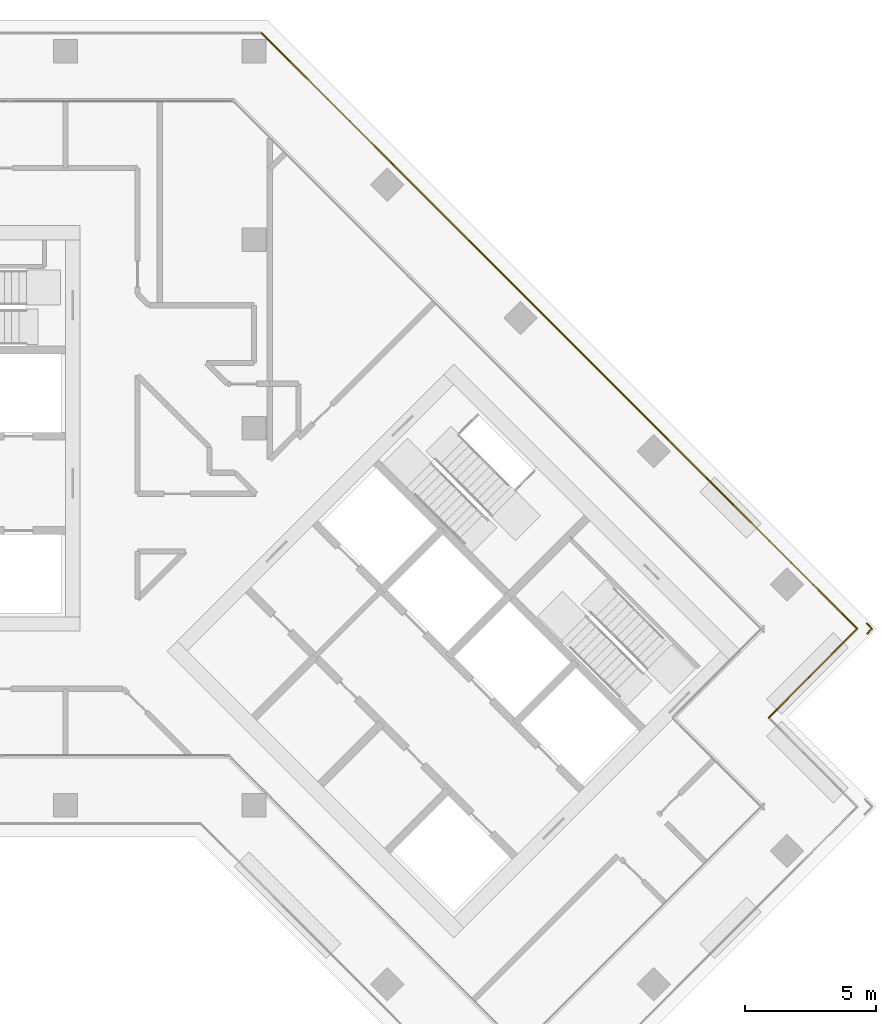
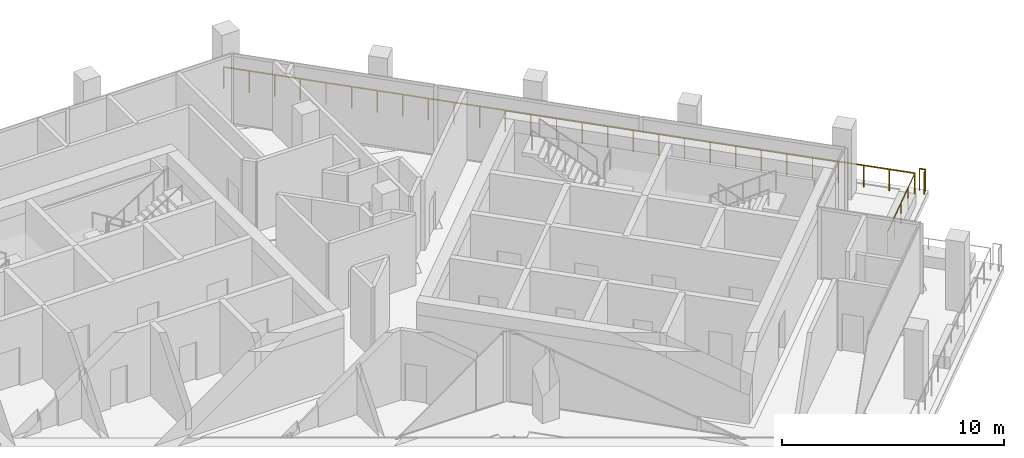
# One storey, part 19 of 19: 4 railings.
"""IFC4 building model written with IfcOpenShell, lengths in metres."""

import ifcopenshell
import ifcopenshell.guid

model = None  # the IFC model being written
_history = None  # IfcOwnerHistory: only IFC2X3 demands one
_inside = {}  # id of a spatial element -> (the spatial element, [elements in it])
_under = {}  # id of a project, library or spatial element -> (it, [spatial elements below it])
_declared = {}  # id of a project -> (the project, [libraries it declares])
_typed = {}  # id of a type object -> (the type object, [elements of that type])
_made_of = {}  # id of a material, layer set ... -> (it, [elements and type objects made of it])


def new_model(schema):
    """Start an empty IFC model of exactly this schema.

    Asked for "IFC4X3", IfcOpenShell would pick the latest addendum, in which some entities
    have other attributes; the version numbers below select the first issue.
    IFC2X3 requires an IfcOwnerHistory on every rooted entity: one is made here for all.
    """
    global model, _history
    if schema == "IFC4X3":
        model = ifcopenshell.file(schema_version=(4, 3, 0, 0))
    else:
        model = ifcopenshell.file(schema=schema)
    _inside.clear()
    _under.clear()
    _declared.clear()
    _typed.clear()
    _made_of.clear()
    _history = None
    if model.schema == "IFC2X3":
        org = make("IfcOrganization", Name="unknown")
        user = make(
            "IfcPersonAndOrganization",
            ThePerson=make("IfcPerson", FamilyName="unknown"),
            TheOrganization=org,
        )
        app = make(
            "IfcApplication",
            ApplicationDeveloper=org,
            Version="unknown",
            ApplicationFullName="unknown",
            ApplicationIdentifier="unknown",
        )
        _history = make(
            "IfcOwnerHistory",
            OwningUser=user,
            OwningApplication=app,
            ChangeAction="ADDED",
            CreationDate=0,
        )
    return model


def make(cls, **values):
    """One entity of the class cls with the attributes given. An attribute that is None is left unset."""
    return model.create_entity(
        cls, **{name: value for name, value in values.items() if value is not None}
    )


def rooted(cls, **values):
    """An entity with a GlobalId (a new one), such as an element, a storey or a relation."""
    return make(cls, GlobalId=ifcopenshell.guid.new(), OwnerHistory=_history, **values)


def si_unit(unit_type, name, prefix=None):
    """IfcSIUnit, for example si_unit("LENGTHUNIT", "METRE", prefix="MILLI")."""
    return make("IfcSIUnit", UnitType=unit_type, Prefix=prefix, Name=name)


def assignment(units):
    """IfcUnitAssignment: the units of a project."""
    return None if units is None else make("IfcUnitAssignment", Units=units)


def point(xyz):
    """IfcCartesianPoint."""
    return None if xyz is None else make("IfcCartesianPoint", Coordinates=xyz)


def direction(xyz):
    """IfcDirection."""
    return None if xyz is None else make("IfcDirection", DirectionRatios=xyz)


def frame(location, z_axis=None, x_axis=None):
    """IfcAxis2Placement3D, a coordinate frame: its origin and axes. An axis left out is left unset."""
    return make(
        "IfcAxis2Placement3D",
        Location=point(location),
        Axis=direction(z_axis),
        RefDirection=direction(x_axis),
    )


def frame_2d(location, x_axis=None):
    """IfcAxis2Placement2D, a coordinate frame in the plane: its origin and x axis."""
    return make(
        "IfcAxis2Placement2D", Location=point(location), RefDirection=direction(x_axis)
    )


def origin():
    """The frame at (0, 0, 0) with its axes left unset."""
    return frame((0.0, 0.0, 0.0))


def origin_2d():
    """The frame at (0, 0) in the plane with its x axis left unset."""
    return frame_2d((0.0, 0.0))


def place(relative_to, where):
    """IfcLocalPlacement: puts the frame where relative to a parent placement (None: the world)."""
    return make(
        "IfcLocalPlacement", PlacementRelTo=relative_to, RelativePlacement=where
    )


def context(
    kind, dimensions, precision=None, world=None, true_north=None, identifier=None
):
    """IfcGeometricRepresentationContext, for example the 3D "Model" context."""
    return make(
        "IfcGeometricRepresentationContext",
        ContextIdentifier=identifier,
        ContextType=kind,
        CoordinateSpaceDimension=dimensions,
        Precision=precision,
        WorldCoordinateSystem=world,
        TrueNorth=true_north,
    )


def subcontext(parent, identifier, kind, view, scale=None):
    """IfcGeometricRepresentationSubContext, for example "Body" below "Model"."""
    return make(
        "IfcGeometricRepresentationSubContext",
        ContextIdentifier=identifier,
        ContextType=kind,
        ParentContext=parent,
        TargetScale=scale,
        TargetView=view,
    )


def project(units=None, contexts=None):
    """IfcProject with its units and contexts."""
    return rooted(
        "IfcProject",
        Name="project",
        RepresentationContexts=contexts,
        UnitsInContext=assignment(units),
    )


def spatial(cls, under=None, at=None, **own):
    """A site, building, storey or space (cls), placed at a placement, below another one or the project."""
    s = rooted(cls, ObjectPlacement=at, **own)
    if under is not None:
        _under.setdefault(under.id(), (under, []))[1].append(s)
    return s


def profile(cls, at=None, kind="AREA", **sizes):
    """A parametric profile (cls). Its sizes go by their IFC names, for example OverallWidth=200.0."""
    return make(cls, ProfileType=kind, Position=at, **sizes)


def circle(**sizes):
    """IfcCircleProfileDef."""
    return profile("IfcCircleProfileDef", **sizes)


def extrude(swept, where, along, depth):
    """IfcExtrudedAreaSolid: the profile swept, set in the frame where, extruded along a direction by depth."""
    return make(
        "IfcExtrudedAreaSolid",
        SweptArea=swept,
        Position=where,
        ExtrudedDirection=direction(along),
        Depth=depth,
    )


def shape(context_of_items, identifier, shape_type, items):
    """IfcShapeRepresentation: the items that make up one representation, for example the "Body"."""
    return make(
        "IfcShapeRepresentation",
        ContextOfItems=context_of_items,
        RepresentationIdentifier=identifier,
        RepresentationType=shape_type,
        Items=items,
    )


def material(Name=None, Category=None):
    """IfcMaterial."""
    return make("IfcMaterial", Name=Name, Category=Category)


def made_of(thing, what):
    """Note that an element or type object is made of a material, layer set ...; save() writes the relation."""
    if what is not None:
        _made_of.setdefault(what.id(), (what, []))[1].append(thing)
    return thing


def type_object(cls, material=None, **own):
    """A type object (cls), such as IfcWallType, which elements share."""
    return made_of(rooted(cls, **own), material)


def element(
    cls,
    number,
    at=None,
    inside=None,
    cuts=None,
    type_object=None,
    material=None,
    context=None,
    identifier="Body",
    shape_type=None,
    held_by="IfcProductDefinitionShape",
    body=None,
    shapes=None,
    **own,
):
    """One element of the class cls, such as IfcWall. Its Tag is "e" and its number.

    at: its placement. inside: the storey or other place that contains it. cuts: it is an
    opening in that element (IfcRelVoidsElement). A single representation is given by context,
    identifier, shape_type and body (its items); several are given by shapes. held_by: the class
    of the entity that holds the representations. save() writes the other relations.
    """
    e = rooted(cls, Tag="e%d" % number, ObjectPlacement=at, **own)
    if body is not None:
        shapes = [shape(context, identifier, shape_type, body)]
    if shapes is not None:
        e.Representation = make(held_by, Representations=shapes)
    if inside is not None:
        _inside.setdefault(inside.id(), (inside, []))[1].append(e)
    if cuts is not None:
        rooted(
            "IfcRelVoidsElement", RelatingBuildingElement=cuts, RelatedOpeningElement=e
        )
    if type_object is not None:
        _typed.setdefault(type_object.id(), (type_object, []))[1].append(e)
    return made_of(e, material)


def aggregate(whole, parts):
    """IfcRelAggregates: a whole, such as a stair, and the parts it consists of."""
    return rooted("IfcRelAggregates", RelatingObject=whole, RelatedObjects=parts)


def save(model, path):
    """Write the relations noted so far, then the file.

    IfcRelAggregates (storeys below a building ...), IfcRelContainedInSpatialStructure (elements
    in a storey), IfcRelDefinesByType, IfcRelAssociatesMaterial and IfcRelDeclares: one each for
    every whole, place, type object, material and project.
    """
    for whole, parts in _under.values():
        aggregate(whole, parts)
    for where, things in _inside.values():
        rooted(
            "IfcRelContainedInSpatialStructure",
            RelatedElements=things,
            RelatingStructure=where,
        )
    for kind, things in _typed.values():
        rooted("IfcRelDefinesByType", RelatedObjects=things, RelatingType=kind)
    for what, things in _made_of.values():
        rooted("IfcRelAssociatesMaterial", RelatedObjects=things, RelatingMaterial=what)
    for by, libraries in _declared.values():
        rooted("IfcRelDeclares", RelatingContext=by, RelatedDefinitions=libraries)
    model.write(path)


model = new_model("IFC4")

# Units and contexts
model_context = context("Model", 3, precision=1e-05, world=origin(), true_north=direction((0.0, 1.0)))
body_context = subcontext(model_context, "Body", "Model", "MODEL_VIEW")
ifc_project = project(units=[si_unit("LENGTHUNIT", "METRE"), si_unit("AREAUNIT", "SQUARE_METRE"), si_unit("VOLUMEUNIT", "CUBIC_METRE"), si_unit("PLANEANGLEUNIT", "RADIAN"), si_unit("MASSUNIT", "GRAM", prefix="KILO")], contexts=[model_context])

# Site, building, storey
site_placement = place(None, origin())
site = spatial("IfcSite", under=ifc_project, at=site_placement, CompositionType="ELEMENT")
building_placement = place(site_placement, origin())
building = spatial("IfcBuilding", under=site, at=building_placement, Name="Windrow Commons", CompositionType="ELEMENT")
storey_placement = place(building_placement, frame((0.0, 0.0, 185.4)))
storey = spatial("IfcBuildingStorey", under=building, at=storey_placement, Name="L50", CompositionType="ELEMENT", Elevation=185.4)

# Railings
ifc_material = material(Name="Stainless steel S316 balustrade with toughened glass infill", Category="steel")
railing_type = type_object("IfcRailingType", Name="Terrace guard 1200 podium", PredefinedType="BALUSTRADE", material=ifc_material)
railing_1_placement = place(storey_placement, frame((79.49, 72.7, 0.05)))
element("IfcRailing", 1, at=railing_1_placement, inside=storey, type_object=railing_type, Name="Guard TR-L50-1.E10", PredefinedType="BALUSTRADE", context=body_context, shape_type="SweptSolid", body=[
    extrude(circle(Radius=0.025, at=origin_2d()), frame((0.0, 0.0, 1.175), z_axis=(0.7071067812, -0.7071067812, 0.0), x_axis=(0.7071067812, 0.7071067812, 0.0)), (0.0, 0.0, 1.0), 32.1899),
    extrude(circle(Radius=0.02, at=origin_2d()), origin(), (0.0, 0.0, 1.0), 1.15),
    extrude(circle(Radius=0.02, at=origin_2d()), frame((0.843, -0.843, 0.0)), (0.0, 0.0, 1.0), 1.15),
    extrude(circle(Radius=0.02, at=origin_2d()), frame((1.6861, -1.6861, 0.0)), (0.0, 0.0, 1.0), 1.15),
    extrude(circle(Radius=0.02, at=origin_2d()), frame((2.5291, -2.5291, 0.0)), (0.0, 0.0, 1.0), 1.15),
    extrude(circle(Radius=0.02, at=origin_2d()), frame((3.3721, -3.3721, 0.0)), (0.0, 0.0, 1.0), 1.15),
    extrude(circle(Radius=0.02, at=origin_2d()), frame((4.2151, -4.2151, 0.0)), (0.0, 0.0, 1.0), 1.15),
    extrude(circle(Radius=0.02, at=origin_2d()), frame((5.0582, -5.0582, 0.0)), (0.0, 0.0, 1.0), 1.15),
    extrude(circle(Radius=0.02, at=origin_2d()), frame((5.9012, -5.9012, 0.0)), (0.0, 0.0, 1.0), 1.15),
    extrude(circle(Radius=0.02, at=origin_2d()), frame((6.7442, -6.7442, 0.0)), (0.0, 0.0, 1.0), 1.15),
    extrude(circle(Radius=0.02, at=origin_2d()), frame((7.5872, -7.5872, 0.0)), (0.0, 0.0, 1.0), 1.15),
    extrude(circle(Radius=0.02, at=origin_2d()), frame((8.4303, -8.4303, 0.0)), (0.0, 0.0, 1.0), 1.15),
    extrude(circle(Radius=0.02, at=origin_2d()), frame((9.2733, -9.2733, 0.0)), (0.0, 0.0, 1.0), 1.15),
    extrude(circle(Radius=0.02, at=origin_2d()), frame((10.1163, -10.1163, 0.0)), (0.0, 0.0, 1.0), 1.15),
    extrude(circle(Radius=0.02, at=origin_2d()), frame((10.9593, -10.9593, 0.0)), (0.0, 0.0, 1.0), 1.15),
    extrude(circle(Radius=0.02, at=origin_2d()), frame((11.8024, -11.8024, 0.0)), (0.0, 0.0, 1.0), 1.15),
    extrude(circle(Radius=0.02, at=origin_2d()), frame((12.6454, -12.6454, 0.0)), (0.0, 0.0, 1.0), 1.15),
    extrude(circle(Radius=0.02, at=origin_2d()), frame((13.4884, -13.4884, 0.0)), (0.0, 0.0, 1.0), 1.15),
    extrude(circle(Radius=0.02, at=origin_2d()), frame((14.3314, -14.3314, 0.0)), (0.0, 0.0, 1.0), 1.15),
    extrude(circle(Radius=0.02, at=origin_2d()), frame((15.1745, -15.1745, 0.0)), (0.0, 0.0, 1.0), 1.15),
    extrude(circle(Radius=0.02, at=origin_2d()), frame((16.0175, -16.0175, 0.0)), (0.0, 0.0, 1.0), 1.15),
    extrude(circle(Radius=0.02, at=origin_2d()), frame((16.8605, -16.8605, 0.0)), (0.0, 0.0, 1.0), 1.15),
    extrude(circle(Radius=0.02, at=origin_2d()), frame((17.7035, -17.7035, 0.0)), (0.0, 0.0, 1.0), 1.15),
    extrude(circle(Radius=0.02, at=origin_2d()), frame((18.5466, -18.5466, 0.0)), (0.0, 0.0, 1.0), 1.15),
    extrude(circle(Radius=0.02, at=origin_2d()), frame((19.3896, -19.3896, 0.0)), (0.0, 0.0, 1.0), 1.15),
    extrude(circle(Radius=0.02, at=origin_2d()), frame((20.2326, -20.2326, 0.0)), (0.0, 0.0, 1.0), 1.15),
    extrude(circle(Radius=0.02, at=origin_2d()), frame((21.0756, -21.0756, 0.0)), (0.0, 0.0, 1.0), 1.15),
    extrude(circle(Radius=0.02, at=origin_2d()), frame((21.9187, -21.9187, 0.0)), (0.0, 0.0, 1.0), 1.15),
    extrude(circle(Radius=0.02, at=origin_2d()), frame((22.7617, -22.7617, 0.0)), (0.0, 0.0, 1.0), 1.15),
])
railing_2_placement = place(storey_placement, frame((102.2517, 49.9383, 0.05)))
element("IfcRailing", 2, at=railing_2_placement, inside=storey, type_object=railing_type, Name="Guard TR-L50-1.E11", PredefinedType="BALUSTRADE", context=body_context, shape_type="SweptSolid", body=[
    extrude(circle(Radius=0.025, at=origin_2d()), frame((0.0, 0.0, 1.175), z_axis=(-0.7071067812, -0.7071067812, 0.0), x_axis=(0.7071067812, -0.7071067812, 0.0)), (0.0, 0.0, 1.0), 4.8),
    extrude(circle(Radius=0.02, at=origin_2d()), origin(), (0.0, 0.0, 1.0), 1.15),
    extrude(circle(Radius=0.02, at=origin_2d()), frame((-0.8485, -0.8485, 0.0)), (0.0, 0.0, 1.0), 1.15),
    extrude(circle(Radius=0.02, at=origin_2d()), frame((-1.697, -1.6971, 0.0)), (0.0, 0.0, 1.0), 1.15),
    extrude(circle(Radius=0.02, at=origin_2d()), frame((-2.5456, -2.5456, 0.0)), (0.0, 0.0, 1.0), 1.15),
    extrude(circle(Radius=0.02, at=origin_2d()), frame((-3.3941, -3.3941, 0.0)), (0.0, 0.0, 1.0), 1.15),
])
railing_3_placement = place(storey_placement, frame((102.6112, 50.1445, 0.05)))
element("IfcRailing", 3, at=railing_3_placement, inside=storey, type_object=railing_type, Name="Guard TR-L50-1.C188", PredefinedType="BALUSTRADE", context=body_context, shape_type="SweptSolid", body=[
    extrude(circle(Radius=0.025, at=origin_2d()), frame((0.0, 0.0, 1.175), z_axis=(0.706925029, -0.7072884866, 0.0), x_axis=(0.7072884866, 0.706925029, 0.0)), (0.0, 0.0, 1.0), 0.2751),
    extrude(circle(Radius=0.02, at=origin_2d()), origin(), (0.0, 0.0, 1.0), 1.15),
    extrude(circle(Radius=0.02, at=origin_2d()), frame((0.1945, -0.1946, 0.0)), (0.0, 0.0, 1.0), 1.15),
])
railing_4_placement = place(storey_placement, frame((102.8057, 49.9499, 0.05)))
element("IfcRailing", 4, at=railing_4_placement, inside=storey, type_object=railing_type, Name="Guard TR-L50-1.C189", PredefinedType="BALUSTRADE", context=body_context, shape_type="SweptSolid", body=[
    extrude(circle(Radius=0.025, at=origin_2d()), frame((0.0, 0.0, 1.175), z_axis=(-0.6607148904, -0.750636952, 0.0), x_axis=(0.750636952, -0.6607148904, 0.0)), (0.0, 0.0, 1.0), 0.2591),
    extrude(circle(Radius=0.02, at=origin_2d()), origin(), (0.0, 0.0, 1.0), 1.15),
    extrude(circle(Radius=0.02, at=origin_2d()), frame((-0.1712, -0.1945, 0.0)), (0.0, 0.0, 1.0), 1.15),
])

save(model, "model.ifc")
